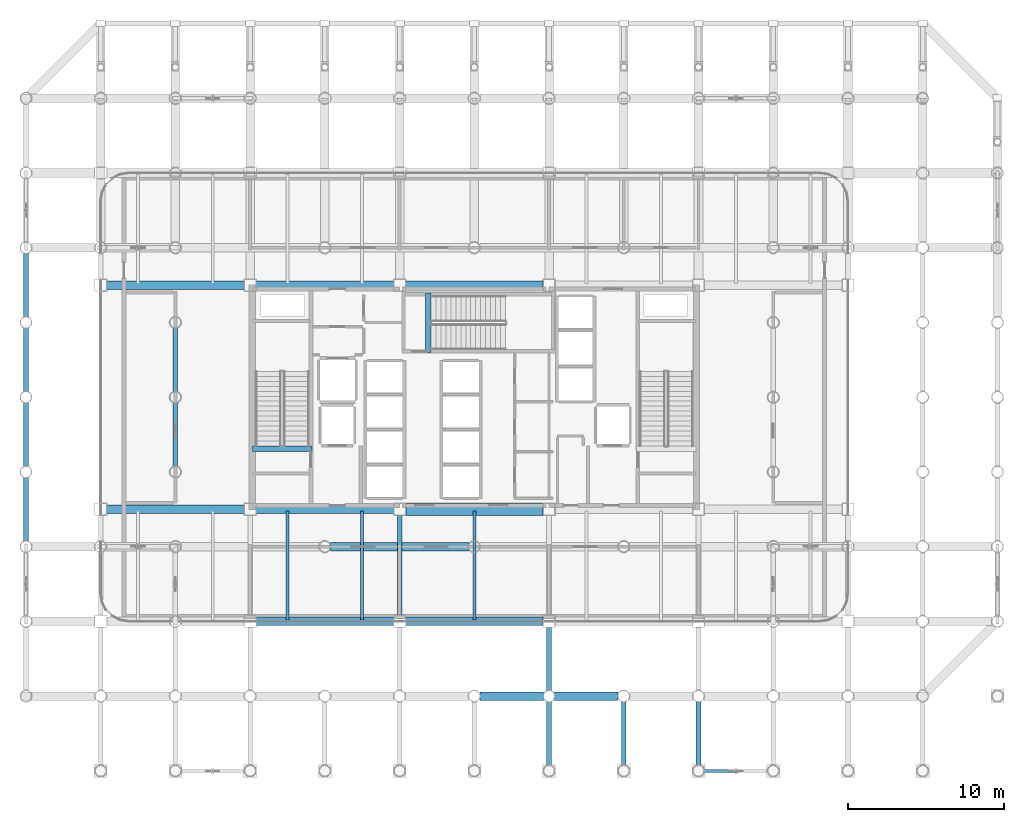
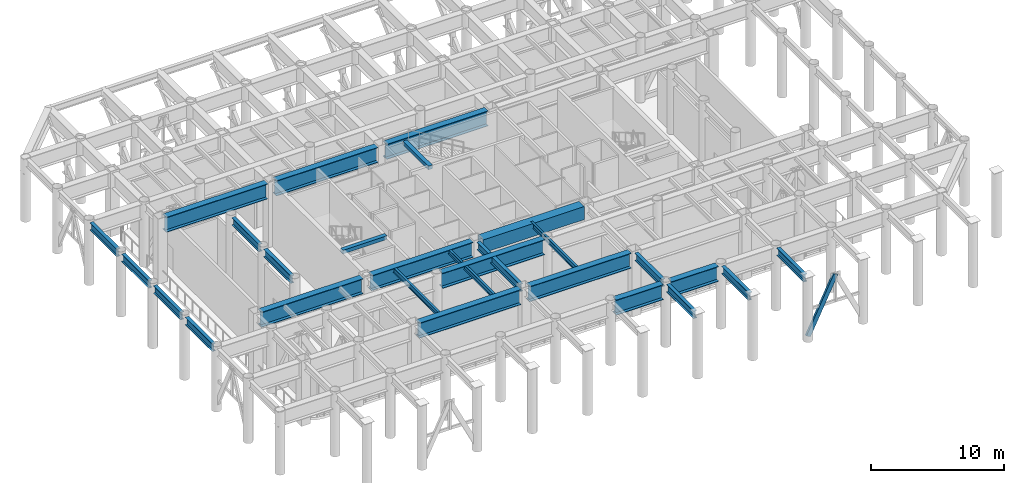
# One storey, part 4 of 19: 27 beams, 1 member.
"""IFC4 building model written with IfcOpenShell, lengths in metres."""

from ifc_helpers import new_model, si_unit, direction, frame, origin, origin_2d, place, context, subcontext, project, spatial, rectangle, hollow_rectangle, i_section, extrude, material, material_profile, profile_set, type_object, element, save


model = new_model("IFC4")

# Units and contexts
model_context = context("Model", 3, precision=1e-05, world=origin(), true_north=direction((0.0, 1.0)))
body_context = subcontext(model_context, "Body", "Model", "MODEL_VIEW")
ifc_project = project(units=[si_unit("LENGTHUNIT", "METRE"), si_unit("AREAUNIT", "SQUARE_METRE"), si_unit("VOLUMEUNIT", "CUBIC_METRE"), si_unit("PLANEANGLEUNIT", "RADIAN"), si_unit("MASSUNIT", "GRAM", prefix="KILO")], contexts=[model_context])

# Site, building, storey
site_placement = place(None, origin())
site = spatial("IfcSite", under=ifc_project, at=site_placement, CompositionType="ELEMENT")
building_placement = place(site_placement, origin())
building = spatial("IfcBuilding", under=site, at=building_placement, Name="Kallvorn Hotel Tower", CompositionType="ELEMENT")
storey_placement = place(building_placement, frame((0.0, 0.0, 89.199951171875)))
storey = spatial("IfcBuildingStorey", under=building, at=storey_placement, Name="L21", CompositionType="ELEMENT", Elevation=89.199951171875)

# Beams
ifc_material_1 = material(Name="Structural steel S355JR", Category="steel")
ifc_material_profile_1 = material_profile(ifc_material_1, i_section(OverallWidth=0.300048828125, OverallDepth=0.699951171875, WebThickness=0.01708984375, FlangeThickness=0.031982421875, at=origin_2d()), Name="HE 700 B")
ifc_profile_set_1 = profile_set([ifc_material_profile_1], Name="Structural steel S355JR")
beam_type_1 = type_object("IfcBeamType", Name="BM_HE700B", PredefinedType="BEAM", material=ifc_profile_set_1)
beam_1_placement = place(storey_placement, frame((-28.800048828125, -9.243896484375, 5.469970703125), z_axis=(0.0, 1.0, 0.0), x_axis=(-1.0, 0.0, 0.0)))
element("IfcBeam", 1, at=beam_1_placement, inside=storey, type_object=beam_type_1, Name="L22 Primary Y-Girder 88", PredefinedType="BEAM", context=body_context, shape_type="SweptSolid", body=[
    extrude(i_section(OverallWidth=0.300048828125, OverallDepth=0.699951171875, WebThickness=0.01708984375, FlangeThickness=0.031982421875, at=origin_2d()), origin(), (0.0, 0.0, 1.0), 4.087890625),
])
for number, where, z_axis, x_axis, name in (
    (2, (-28.800048828125, -4.444091796875, 5.469970703125), (0.0, 1.0, 0.0), (-1.0, 0.0, 0.0), "L22 Primary Y-Girder 89"),
    (3, (-28.800048828125, 0.35595703125, 5.469970703125), (0.0, 1.0, 0.0), (-1.0, 0.0, 0.0), "L22 Primary Y-Girder 90"),
):
    element("IfcBeam", number, at=place(storey_placement, frame(where, z_axis=z_axis, x_axis=x_axis)), inside=storey, type_object=beam_type_1, Name=name, PredefinedType="BEAM", context=body_context, shape_type="SweptSolid", body=[
        extrude(i_section(OverallWidth=0.300048828125, OverallDepth=0.699951171875, WebThickness=0.01708984375, FlangeThickness=0.031982421875, at=origin_2d()), origin(), (0.0, 0.0, 1.0), 4.088134765625),
    ])
beam_2_placement = place(storey_placement, frame((-28.800048828125, 5.156005859375, 5.469970703125), z_axis=(0.0, 1.0, 0.0), x_axis=(-1.0, 0.0, 0.0)))
element("IfcBeam", 4, at=beam_2_placement, inside=storey, type_object=beam_type_1, Name="L22 Primary Y-Girder 91", PredefinedType="BEAM", context=body_context, shape_type="SweptSolid", body=[
    extrude(i_section(OverallWidth=0.300048828125, OverallDepth=0.699951171875, WebThickness=0.01708984375, FlangeThickness=0.031982421875, at=origin_2d()), origin(), (0.0, 0.0, 1.0), 4.087890625),
])
for number, where, z_axis, x_axis, name in (
    (5, (-19.199951171875, -4.444091796875, 5.469970703125), (0.0, 1.0, 0.0), (-1.0, 0.0, 0.0), "L22 Primary Y-Girder 105"),
    (6, (-19.199951171875, 0.35595703125, 5.469970703125), (0.0, 1.0, 0.0), (-1.0, 0.0, 0.0), "L22 Primary Y-Girder 106"),
):
    element("IfcBeam", number, at=place(storey_placement, frame(where, z_axis=z_axis, x_axis=x_axis)), inside=storey, type_object=beam_type_1, Name=name, PredefinedType="BEAM", context=body_context, shape_type="SweptSolid", body=[
        extrude(i_section(OverallWidth=0.300048828125, OverallDepth=0.699951171875, WebThickness=0.01708984375, FlangeThickness=0.031982421875, at=origin_2d()), origin(), (0.0, 0.0, 1.0), 4.088134765625),
    ])
beam_3_placement = place(storey_placement, frame((-4.800048828125, -14.02490234375, 5.469970703125), z_axis=(0.0, 1.0, 0.0), x_axis=(-1.0, 0.0, 0.0)))
element("IfcBeam", 7, at=beam_3_placement, inside=storey, type_object=beam_type_1, Name="L22 Primary Y-Girder 120", PredefinedType="BEAM", context=body_context, shape_type="SweptSolid", body=[
    extrude(i_section(OverallWidth=0.300048828125, OverallDepth=0.699951171875, WebThickness=0.01708984375, FlangeThickness=0.031982421875, at=origin_2d()), origin(), (0.0, 0.0, 1.0), 6.449951171875),
])
beam_4_placement = place(storey_placement, frame((4.800048828125, -23.64404296875, 5.469970703125), z_axis=(0.0, 1.0, 0.0), x_axis=(-1.0, 0.0, 0.0)))
element("IfcBeam", 8, at=beam_4_placement, inside=storey, type_object=beam_type_1, Name="L22 Primary Y-Girder 126", PredefinedType="BEAM", context=body_context, shape_type="SweptSolid", body=[
    extrude(i_section(OverallWidth=0.300048828125, OverallDepth=0.699951171875, WebThickness=0.01708984375, FlangeThickness=0.031982421875, at=origin_2d()), origin(), (0.0, 0.0, 1.0), 4.088134765625),
])
beam_5_placement = place(storey_placement, frame((4.800048828125, -18.843994140625, 5.469970703125), z_axis=(0.0, 1.0, 0.0), x_axis=(-1.0, 0.0, 0.0)))
element("IfcBeam", 9, at=beam_5_placement, inside=storey, type_object=beam_type_1, Name="L22 Primary Y-Girder 127", PredefinedType="BEAM", context=body_context, shape_type="SweptSolid", body=[
    extrude(i_section(OverallWidth=0.300048828125, OverallDepth=0.699951171875, WebThickness=0.01708984375, FlangeThickness=0.031982421875, at=origin_2d()), origin(), (0.0, 0.0, 1.0), 4.069091796875),
])
for number, where, z_axis, x_axis, name in (
    (10, (9.60009765625, -23.64404296875, 5.469970703125), (0.0, 1.0, 0.0), (-1.0, 0.0, 0.0), "L22 Primary Y-Girder 131"),
    (11, (14.39990234375, -23.64404296875, 5.469970703125), (0.0, 1.0, 0.0), (-1.0, 0.0, 0.0), "L22 Primary Y-Girder 134"),
):
    element("IfcBeam", number, at=place(storey_placement, frame(where, z_axis=z_axis, x_axis=x_axis)), inside=storey, type_object=beam_type_1, Name=name, PredefinedType="BEAM", context=body_context, shape_type="SweptSolid", body=[
        extrude(i_section(OverallWidth=0.300048828125, OverallDepth=0.699951171875, WebThickness=0.01708984375, FlangeThickness=0.031982421875, at=origin_2d()), origin(), (0.0, 0.0, 1.0), 4.088134765625),
    ])
ifc_material_2 = material(Name="Structural steel S355JR", Category="steel")
ifc_material_profile_2 = material_profile(ifc_material_2, i_section(OverallWidth=0.18994140625, OverallDepth=0.449951171875, WebThickness=0.009521484375, FlangeThickness=0.0146484375, at=origin_2d()), Name="IPE 450")
ifc_profile_set_2 = profile_set([ifc_material_profile_2], Name="Structural steel S355JR")
beam_type_2 = type_object("IfcBeamType", Name="BM_IPE450", PredefinedType="JOIST", material=ifc_profile_set_2)
for number, where, z_axis, x_axis, name in (
    (12, (-12.0, -14.300048828125, 5.594970703125), (0.0, 1.0, 0.0), (-1.0, 0.0, 0.0), "L22 Secondary Composite Joist 209"),
    (13, (-7.199951171875, -14.300048828125, 5.594970703125), (0.0, 1.0, 0.0), (-1.0, 0.0, 0.0), "L22 Secondary Composite Joist 211"),
    (14, (0.0, -14.300048828125, 5.594970703125), (0.0, 1.0, 0.0), (-1.0, 0.0, 0.0), "L22 Secondary Composite Joist 213"),
):
    element("IfcBeam", number, at=place(storey_placement, frame(where, z_axis=z_axis, x_axis=x_axis)), inside=storey, type_object=beam_type_2, Name=name, PredefinedType="JOIST", context=body_context, shape_type="SweptSolid", body=[
        extrude(i_section(OverallWidth=0.18994140625, OverallDepth=0.449951171875, WebThickness=0.009521484375, FlangeThickness=0.0146484375, at=origin_2d()), origin(), (0.0, 0.0, 1.0), 7.0),
    ])
ifc_material_3 = material(Name="Structural steel S355JR", Category="steel")
ifc_material_profile_3 = material_profile(ifc_material_3, i_section(OverallWidth=0.550048828125, OverallDepth=1.39990234375, WebThickness=0.02490234375, FlangeThickness=0.044921875, at=origin_2d()), Name="PG 1400x550x25x45")
ifc_profile_set_3 = profile_set([ifc_material_profile_3], Name="Structural steel S355JR")
beam_type_3 = type_object("IfcBeamType", Name="BM_PG_1400", PredefinedType="BEAM", material=ifc_profile_set_3)
beam_6_placement = place(storey_placement, frame((0.35595703125, -19.199951171875, 5.1201171875), z_axis=(1.0, 0.0, 0.0), x_axis=(0.0, 1.0, 0.0)))
element("IfcBeam", 15, at=beam_6_placement, inside=storey, type_object=beam_type_3, Name="L22 Primary X-Girder 20", PredefinedType="BEAM", context=body_context, shape_type="SweptSolid", body=[
    extrude(i_section(OverallWidth=0.550048828125, OverallDepth=1.39990234375, WebThickness=0.02490234375, FlangeThickness=0.044921875, at=origin_2d()), origin(), (0.0, 0.0, 1.0), 4.088134765625),
])
beam_7_placement = place(storey_placement, frame((5.156005859375, -19.199951171875, 5.1201171875), z_axis=(1.0, 0.0, 0.0), x_axis=(0.0, 1.0, 0.0)))
element("IfcBeam", 16, at=beam_7_placement, inside=storey, type_object=beam_type_3, Name="L22 Primary X-Girder 21", PredefinedType="BEAM", context=body_context, shape_type="SweptSolid", body=[
    extrude(i_section(OverallWidth=0.550048828125, OverallDepth=1.39990234375, WebThickness=0.02490234375, FlangeThickness=0.044921875, at=origin_2d()), origin(), (0.0, 0.0, 1.0), 4.087890625),
])
beam_8_placement = place(storey_placement, frame((-14.02490234375, -14.39990234375, 5.1201171875), z_axis=(1.0, 0.0, 0.0), x_axis=(0.0, 1.0, 0.0)))
element("IfcBeam", 17, at=beam_8_placement, inside=storey, type_object=beam_type_3, Name="L22 Primary X-Girder 30", PredefinedType="BEAM", context=body_context, shape_type="SweptSolid", body=[
    extrude(i_section(OverallWidth=0.550048828125, OverallDepth=1.39990234375, WebThickness=0.02490234375, FlangeThickness=0.044921875, at=origin_2d()), origin(), (0.0, 0.0, 1.0), 8.849853515625),
])
beam_9_placement = place(storey_placement, frame((-4.425048828125, -14.39990234375, 5.1201171875), z_axis=(1.0, 0.0, 0.0), x_axis=(0.0, 1.0, 0.0)))
element("IfcBeam", 18, at=beam_9_placement, inside=storey, type_object=beam_type_3, Name="L22 Primary X-Girder 31", PredefinedType="BEAM", context=body_context, shape_type="SweptSolid", body=[
    extrude(i_section(OverallWidth=0.550048828125, OverallDepth=1.39990234375, WebThickness=0.02490234375, FlangeThickness=0.044921875, at=origin_2d()), origin(), (0.0, 0.0, 1.0), 8.85009765625),
])
beam_10_placement = place(storey_placement, frame((-9.243896484375, -9.60009765625, 5.1201171875), z_axis=(1.0, 0.0, 0.0), x_axis=(0.0, 1.0, 0.0)))
element("IfcBeam", 19, at=beam_10_placement, inside=storey, type_object=beam_type_3, Name="L22 Primary X-Girder 40", PredefinedType="BEAM", context=body_context, shape_type="SweptSolid", body=[
    extrude(i_section(OverallWidth=0.550048828125, OverallDepth=1.39990234375, WebThickness=0.02490234375, FlangeThickness=0.044921875, at=origin_2d()), origin(), (0.0, 0.0, 1.0), 8.887939453125),
])
beam_11_placement = place(storey_placement, frame((-23.625, -7.199951171875, 5.1201171875), z_axis=(1.0, 0.0, 0.0), x_axis=(0.0, 1.0, 0.0)))
element("IfcBeam", 20, at=beam_11_placement, inside=storey, type_object=beam_type_3, Name="L22 Primary X-Girder 46", PredefinedType="BEAM", context=body_context, shape_type="SweptSolid", body=[
    extrude(i_section(OverallWidth=0.550048828125, OverallDepth=1.39990234375, WebThickness=0.02490234375, FlangeThickness=0.044921875, at=origin_2d()), origin(), (0.0, 0.0, 1.0), 8.85009765625),
])
beam_12_placement = place(storey_placement, frame((-14.02490234375, -7.199951171875, 5.1201171875), z_axis=(1.0, 0.0, 0.0), x_axis=(0.0, 1.0, 0.0)))
element("IfcBeam", 21, at=beam_12_placement, inside=storey, type_object=beam_type_3, Name="L22 Primary X-Girder 47", PredefinedType="BEAM", context=body_context, shape_type="SweptSolid", body=[
    extrude(i_section(OverallWidth=0.550048828125, OverallDepth=1.39990234375, WebThickness=0.02490234375, FlangeThickness=0.044921875, at=origin_2d()), origin(), (0.0, 0.0, 1.0), 8.849853515625),
])
beam_13_placement = place(storey_placement, frame((-23.625, 7.199951171875, 5.1201171875), z_axis=(1.0, 0.0, 0.0), x_axis=(0.0, 1.0, 0.0)))
element("IfcBeam", 22, at=beam_13_placement, inside=storey, type_object=beam_type_3, Name="L22 Primary X-Girder 50", PredefinedType="BEAM", context=body_context, shape_type="SweptSolid", body=[
    extrude(i_section(OverallWidth=0.550048828125, OverallDepth=1.39990234375, WebThickness=0.02490234375, FlangeThickness=0.044921875, at=origin_2d()), origin(), (0.0, 0.0, 1.0), 8.85009765625),
])
beam_14_placement = place(storey_placement, frame((-14.02490234375, 7.199951171875, 5.1201171875), z_axis=(1.0, 0.0, 0.0), x_axis=(0.0, 1.0, 0.0)))
element("IfcBeam", 23, at=beam_14_placement, inside=storey, type_object=beam_type_3, Name="L22 Primary X-Girder 51", PredefinedType="BEAM", context=body_context, shape_type="SweptSolid", body=[
    extrude(i_section(OverallWidth=0.550048828125, OverallDepth=1.39990234375, WebThickness=0.02490234375, FlangeThickness=0.044921875, at=origin_2d()), origin(), (0.0, 0.0, 1.0), 8.849853515625),
])
beam_15_placement = place(storey_placement, frame((-4.425048828125, 7.199951171875, 5.1201171875), z_axis=(1.0, 0.0, 0.0), x_axis=(0.0, 1.0, 0.0)))
element("IfcBeam", 24, at=beam_15_placement, inside=storey, type_object=beam_type_3, Name="L22 Primary X-Girder 52", PredefinedType="BEAM", context=body_context, shape_type="SweptSolid", body=[
    extrude(i_section(OverallWidth=0.550048828125, OverallDepth=1.39990234375, WebThickness=0.02490234375, FlangeThickness=0.044921875, at=origin_2d()), origin(), (0.0, 0.0, 1.0), 8.85009765625),
])
ifc_material_4 = material(Name="Concrete C50/60", Category="concrete")
ifc_material_profile_4 = material_profile(ifc_material_4, rectangle(XDim=0.360107421875, YDim=0.340087890625, at=origin_2d()), Name="RC 360x340")
ifc_profile_set_4 = profile_set([ifc_material_profile_4], Name="Concrete C50/60")
beam_type_4 = type_object("IfcBeamType", Name="BM_RC_400x360", PredefinedType="BEAM", material=ifc_profile_set_4)
beam_16_placement = place(storey_placement, frame((-10.419921875, -3.31005859375, 5.650146484375), z_axis=(-1.0, 0.0, 0.0), x_axis=(0.0, -1.0, 0.0)))
element("IfcBeam", 25, at=beam_16_placement, inside=storey, type_object=beam_type_4, Name="L22 Stair ST1 Arrival Trimmer Beam", PredefinedType="BEAM", context=body_context, shape_type="SweptSolid", body=[
    extrude(rectangle(XDim=0.360107421875, YDim=0.340087890625, at=origin_2d()), origin(), (0.0, 0.0, 1.0), 3.820068359375),
])
beam_17_placement = place(storey_placement, frame((-2.9599609375, 2.8701171875, 5.650146484375), z_axis=(0.0, 1.0, 0.0), x_axis=(-1.0, 0.0, 0.0)))
element("IfcBeam", 26, at=beam_17_placement, inside=storey, type_object=beam_type_4, Name="L22 Stair ST3 Arrival Trimmer Beam", PredefinedType="BEAM", context=body_context, shape_type="SweptSolid", body=[
    extrude(rectangle(XDim=0.360107421875, YDim=0.340087890625, at=origin_2d()), origin(), (0.0, 0.0, 1.0), 3.81982421875),
])
ifc_material_5 = material(Name="Concrete C50/60", Category="concrete")
ifc_material_profile_5 = material_profile(ifc_material_5, rectangle(XDim=0.800048828125, YDim=1.199951171875, at=origin_2d()), Name="RC 800x1200")
ifc_profile_set_5 = profile_set([ifc_material_profile_5], Name="Concrete C50/60")
beam_type_5 = type_object("IfcBeamType", Name="BM_RC_800x1200", PredefinedType="T_BEAM", material=ifc_profile_set_5)
beam_18_placement = place(storey_placement, frame((-4.39990234375, -7.199951171875, 5.219970703125), z_axis=(1.0, 0.0, 0.0), x_axis=(0.0, 1.0, 0.0)))
element("IfcBeam", 27, at=beam_18_placement, inside=storey, type_object=beam_type_5, Name="L21 Core Coupling Beam South", PredefinedType="T_BEAM", context=body_context, shape_type="SweptSolid", body=[
    extrude(rectangle(XDim=0.800048828125, YDim=1.199951171875, at=origin_2d()), origin(), (0.0, 0.0, 1.0), 8.7998046875),
])

# Member
ifc_material_6 = material(Name="Structural steel S355J2H", Category="steel")
ifc_material_profile_6 = material_profile(ifc_material_6, hollow_rectangle(XDim=0.199951171875, YDim=0.39990234375, WallThickness=0.02001953125, at=origin_2d()), Name="RHS 400x200x20")
ifc_profile_set_6 = profile_set([ifc_material_profile_6], Name="Structural steel S355J2H")
member_type = type_object("IfcMemberType", Name="MBR_BELT_RHS400", PredefinedType="BRACE", material=ifc_profile_set_6)
member_placement = place(storey_placement, frame((14.40869140625, -24.0, 0.3681640625), z_axis=(0.439185110191, 0.0, 0.898396593374), x_axis=(0.0, 1.0, 0.0)))
element("IfcMember", 28, at=member_placement, inside=storey, type_object=member_type, Name="L21 Belt Truss Diagonal 2A", PredefinedType="BRACE", context=body_context, shape_type="SweptSolid", body=[
    extrude(hollow_rectangle(XDim=0.199951171875, YDim=0.39990234375, WallThickness=0.02001953125, at=origin_2d()), origin(), (0.0, 0.0, 1.0), 5.425048828125),
])

save(model, "model.ifc")
